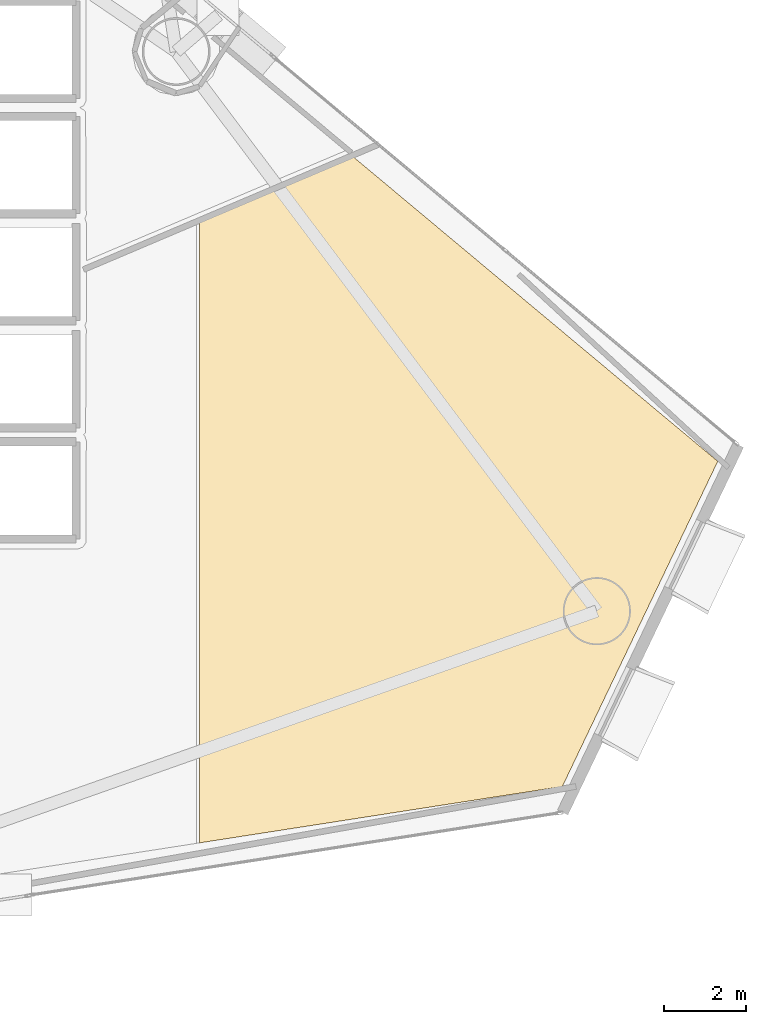
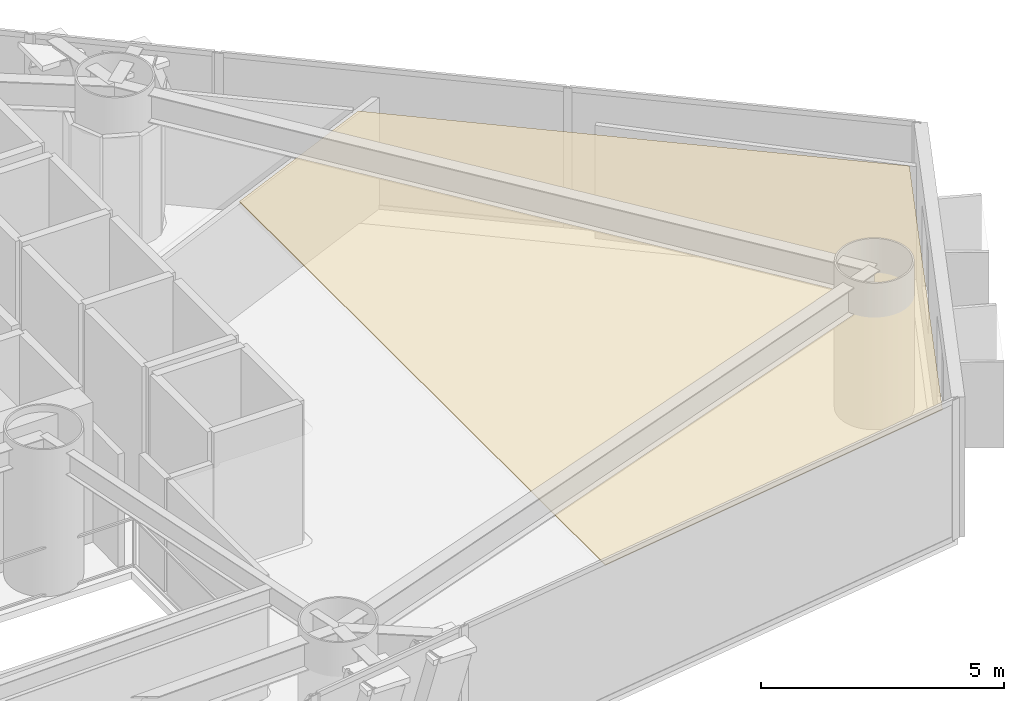
# One storey, part 23 of 23: 1 covering.
"""IFC4 building model written with IfcOpenShell, lengths in metres."""

from ifc_helpers import new_model, si_unit, direction, frame, origin, place, context, subcontext, project, spatial, polyline, outline, extrude, material, layer, layer_set, type_object, element, save


model = new_model("IFC4")

# Units and contexts
model_context = context("Model", 3, precision=1e-05, world=origin(), true_north=direction((0.0, 1.0)))
body_context = subcontext(model_context, "Body", "Model", "MODEL_VIEW")
ifc_project = project(units=[si_unit("LENGTHUNIT", "METRE"), si_unit("AREAUNIT", "SQUARE_METRE"), si_unit("VOLUMEUNIT", "CUBIC_METRE"), si_unit("PLANEANGLEUNIT", "RADIAN"), si_unit("MASSUNIT", "GRAM", prefix="KILO")], contexts=[model_context])

# Site, building, storey
site_placement = place(None, origin())
site = spatial("IfcSite", under=ifc_project, at=site_placement, CompositionType="ELEMENT")
building_placement = place(site_placement, origin())
building = spatial("IfcBuilding", under=site, at=building_placement, Name="Qianvela Tower", CompositionType="ELEMENT")
storey_placement = place(building_placement, frame((0.0, 0.0, 78.39990234375)))
storey = spatial("IfcBuildingStorey", under=building, at=storey_placement, Name="L19", CompositionType="ELEMENT", Elevation=78.39990234375)

# Covering
ifc_material = material(Name="Perforated Mineral Acoustic Ceiling Tile")
ifc_layer = layer(ifc_material, 0.02490234375)
ifc_layer_set = layer_set([ifc_layer], Name="Perforated Mineral Acoustic Ceiling Tile")
covering_type = type_object("IfcCoveringType", Name="COV-CEIL-ACOUSTIC-25", PredefinedType="CEILING", material=ifc_layer_set)
covering_placement = place(storey_placement, frame((0.0, 0.0, 2.815185546875)))
element("IfcCovering", 1, at=covering_placement, inside=storey, type_object=covering_type, Name="L19 Acoustic Ceiling Bay 2 Debate Lecture Classroom L19-02", PredefinedType="CEILING", context=body_context, shape_type="SweptSolid", body=[
    extrude(outline(polyline([(50.292236328125, 31.492919921875), (59.135009765625, 24.1064453125), (55.361083984375, 16.2099609375), (46.553955078125, 14.84130859375), (46.553955078125, 29.906005859375), (50.292236328125, 31.492919921875)])), origin(), (0.0, 0.0, 1.0), 0.02490234375),
])

save(model, "model.ifc")
